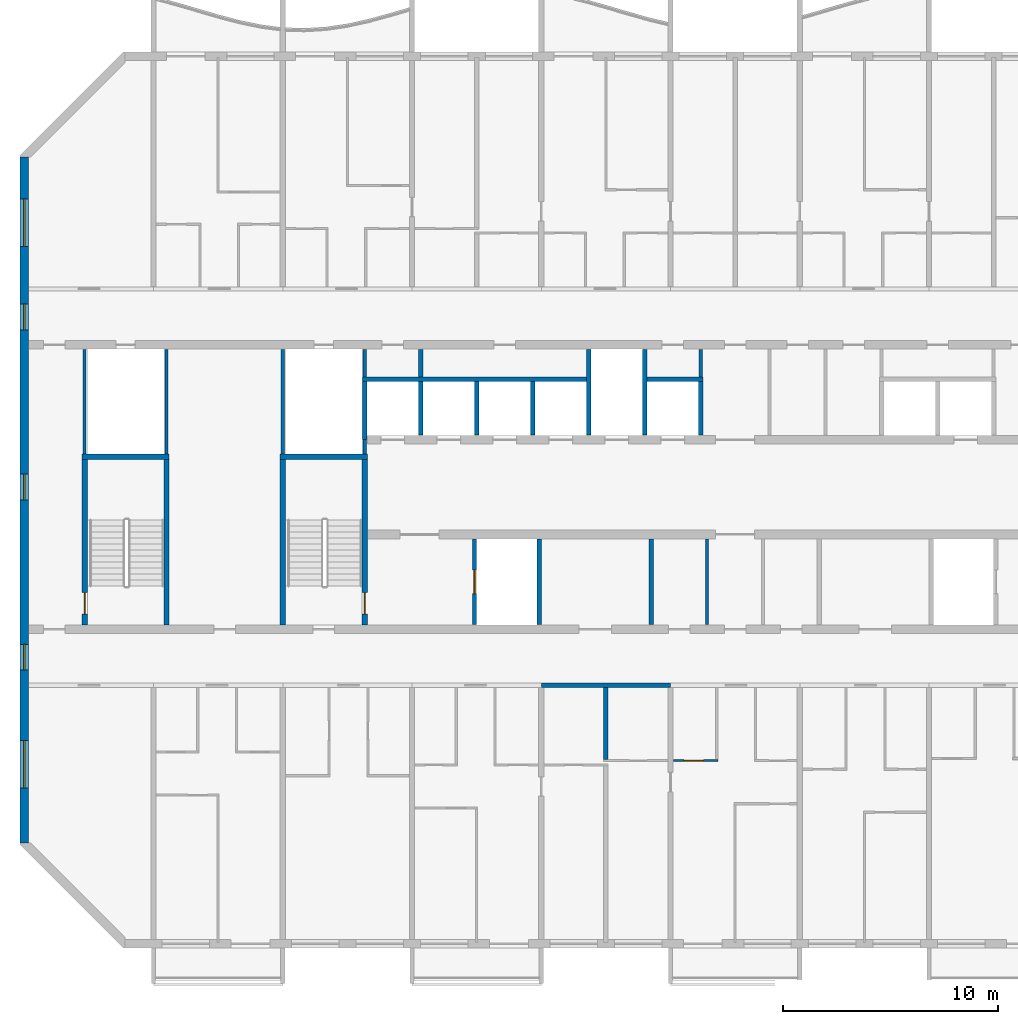
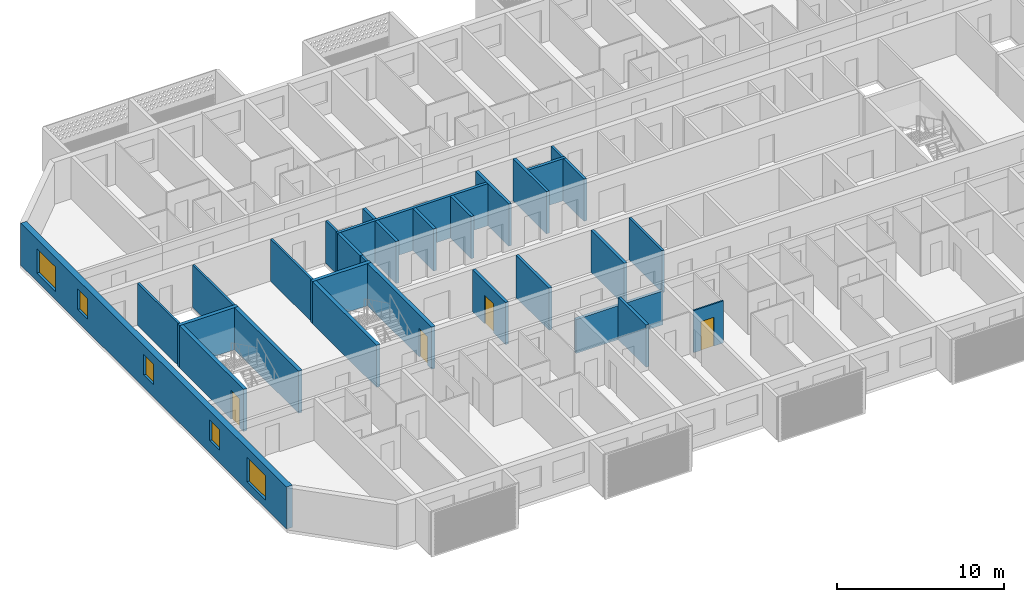
# One storey, part 3 of 27: 30 walls, 5 windows, 4 doors, 9 openings.
"""IFC4 building model written with IfcOpenShell, lengths in metres."""

from ifc_helpers import new_model, si_unit, direction, frame, frame_2d, origin, place, context, subcontext, project, spatial, rectangle, extrude, material, layer, layer_set, type_object, element, fill, save


model = new_model("IFC4")

# Units and contexts
model_context = context("Model", 3, precision=1e-05, world=origin(), true_north=direction((0.0, 1.0)))
body_context = subcontext(model_context, "Body", "Model", "MODEL_VIEW")
ifc_project = project(units=[si_unit("LENGTHUNIT", "METRE"), si_unit("AREAUNIT", "SQUARE_METRE"), si_unit("VOLUMEUNIT", "CUBIC_METRE"), si_unit("PLANEANGLEUNIT", "RADIAN"), si_unit("MASSUNIT", "GRAM", prefix="KILO")], contexts=[model_context])

# Site, building, storey
site_placement = place(None, origin())
site = spatial("IfcSite", under=ifc_project, at=site_placement, CompositionType="ELEMENT")
building_placement = place(site_placement, origin())
building = spatial("IfcBuilding", under=site, at=building_placement, Name="Poui Terraces", CompositionType="ELEMENT")
storey_placement = place(building_placement, frame((0.0, 0.0, 191.699951171875)))
storey = spatial("IfcBuildingStorey", under=building, at=storey_placement, Name="L53", CompositionType="ELEMENT", Elevation=191.699951171875)

# Walls
ifc_material_1 = material(Name="Fire-rated plasterboard wall")
ifc_layer_1 = layer(ifc_material_1, 0.14990234375)
ifc_layer_set_1 = layer_set([ifc_layer_1], Name="Fire-rated plasterboard wall")
wall_type_1 = type_object("IfcWallType", Name="CORRIDOR WALL 150", PredefinedType="PARTITIONING", material=ifc_layer_set_1)
wall_1_placement = place(storey_placement, frame((49.39990234375, 26.300048828125, 0.0), z_axis=(0.0, 0.0, 1.0), x_axis=(0.0, 1.0, 0.0)))
element("IfcWall", 1, at=wall_1_placement, inside=storey, type_object=wall_type_1, Name="CORRIDOR WALL 150", PredefinedType="PARTITIONING", context=body_context, shape_type="SweptSolid", body=[
    extrude(rectangle(XDim=1.2900390625, YDim=0.14990234375, at=frame_2d((0.64501953125, 0.0))), origin(), (0.0, 0.0, 1.0), 3.080078125),
])
wall_2_placement = place(storey_placement, frame((49.699951171875, 14.81005859375, 0.0), z_axis=(0.0, 0.0, 1.0), x_axis=(0.0, 1.0, 0.0)))
element("IfcWall", 2, at=wall_2_placement, inside=storey, type_object=wall_type_1, Name="CORRIDOR WALL 150", PredefinedType="PARTITIONING", context=body_context, shape_type="SweptSolid", body=[
    extrude(rectangle(XDim=3.97998046875, YDim=0.14990234375, at=frame_2d((1.989990234375, 0.0))), origin(), (0.0, 0.0, 1.0), 3.080078125),
])
ifc_material_2 = material(Name="Concrete 50 MPa", Category="concrete")
ifc_layer_2 = layer(ifc_material_2, 0.199951171875)
ifc_layer_set_2 = layer_set([ifc_layer_2], Name="Concrete 50 MPa")
wall_type_2 = type_object("IfcWallType", Name="CORRIDOR WALL 200 50MPa", PredefinedType="SHEAR", material=ifc_layer_set_2)
wall_3_placement = place(storey_placement, frame((42.0, 12.0, 0.0), z_axis=(0.0, 0.0, 1.0), x_axis=(1.0, 0.0, 0.0)))
element("IfcWall", 3, at=wall_3_placement, inside=storey, type_object=wall_type_2, Name="CORRIDOR WALL LINE B BAY 5", PredefinedType="SHEAR", context=body_context, shape_type="SweptSolid", body=[
    extrude(rectangle(XDim=6.0, YDim=0.199951171875, at=frame_2d((3.0, 0.0))), origin(), (0.0, 0.0, 1.0), 2.47998046875),
])

# Wall, openings, windows
ifc_layer_3 = layer(ifc_material_2, 0.39990234375)
ifc_layer_set_3 = layer_set([ifc_layer_3], Name="Concrete 50 MPa")
wall_type_3 = type_object("IfcWallType", Name="END WALL 400 50MPa", PredefinedType="SHEAR", material=ifc_layer_set_3)
wall_4_placement = place(storey_placement, frame((18.0, 4.682861328125, 0.0), z_axis=(0.0, 0.0, 1.0), x_axis=(0.0, 1.0, 0.0)))
wall_4 = element("IfcWall", 4, at=wall_4_placement, inside=storey, type_object=wall_type_3, Name="END WALL WEST", PredefinedType="SHEAR", context=body_context, shape_type="SweptSolid", body=[
    extrude(rectangle(XDim=31.834228515625, YDim=0.39990234375, at=frame_2d((15.9169921875, 0.0))), origin(), (0.0, 0.0, 1.0), 3.080078125),
])
opening_1_placement = place(wall_4_placement, frame((23.817138671875, 0.0, 0.89990234375)))
opening_1 = element("IfcOpeningElement", 5, at=opening_1_placement, cuts=wall_4, Name="Opening W2", PredefinedType="OPENING", context=body_context, shape_type="SweptSolid", body=[
    extrude(rectangle(XDim=1.199951171875, YDim=1.5, at=frame_2d((0.60009765625, 0.75))), frame((0.0, 0.2099609375, 0.0), z_axis=(0.0, -1.0, 0.0), x_axis=(1.0, 0.0, 0.0)), (0.0, 0.0, 1.0), 0.419921875),
])
opening_2_placement = place(wall_4_placement, frame((8.01708984375, 0.0, 0.89990234375)))
opening_2 = element("IfcOpeningElement", 6, at=opening_2_placement, cuts=wall_4, Name="Opening W2", PredefinedType="OPENING", context=body_context, shape_type="SweptSolid", body=[
    extrude(rectangle(XDim=1.199951171875, YDim=1.5, at=frame_2d((0.60009765625, 0.75))), frame((0.0, 0.2099609375, 0.0), z_axis=(0.0, -1.0, 0.0), x_axis=(1.0, 0.0, 0.0)), (0.0, 0.0, 1.0), 0.419921875),
])
opening_3_placement = place(wall_4_placement, frame((27.693603515625, 0.0, 0.60009765625)))
opening_3 = element("IfcOpeningElement", 7, at=opening_3_placement, cuts=wall_4, Name="Opening W3", PredefinedType="OPENING", context=body_context, shape_type="SweptSolid", body=[
    extrude(rectangle(XDim=2.199951171875, YDim=1.800048828125, at=frame_2d((1.10009765625, 0.89990234375))), frame((0.0, 0.2099609375, 0.0), z_axis=(0.0, -1.0, 0.0), x_axis=(1.0, 0.0, 0.0)), (0.0, 0.0, 1.0), 0.419921875),
])
opening_4_placement = place(wall_4_placement, frame((2.541015625, 0.0, 0.60009765625)))
opening_4 = element("IfcOpeningElement", 8, at=opening_4_placement, cuts=wall_4, Name="Opening W3", PredefinedType="OPENING", context=body_context, shape_type="SweptSolid", body=[
    extrude(rectangle(XDim=2.199951171875, YDim=1.800048828125, at=frame_2d((1.10009765625, 0.89990234375))), frame((0.0, 0.2099609375, 0.0), z_axis=(0.0, -1.0, 0.0), x_axis=(1.0, 0.0, 0.0)), (0.0, 0.0, 1.0), 0.419921875),
])
opening_5_placement = place(wall_4_placement, frame((15.917236328125, 0.0, 0.89990234375)))
opening_5 = element("IfcOpeningElement", 9, at=opening_5_placement, cuts=wall_4, Name="Opening W2", PredefinedType="OPENING", context=body_context, shape_type="SweptSolid", body=[
    extrude(rectangle(XDim=1.199951171875, YDim=1.5, at=frame_2d((0.60009765625, 0.75))), frame((0.0, 0.2099609375, 0.0), z_axis=(0.0, -1.0, 0.0), x_axis=(1.0, 0.0, 0.0)), (0.0, 0.0, 1.0), 0.419921875),
])
ifc_material_3 = material(Name="Clear glass in aluminium frame", Category="aluminium")
window_type_1 = type_object("IfcWindowType", Name="WINDOW 1200X1500", PartitioningType="SINGLE_PANEL", PredefinedType="WINDOW", material=ifc_material_3)
window_1_placement = place(opening_1_placement, origin())
window_1 = element("IfcWindow", 10, at=window_1_placement, inside=storey, type_object=window_type_1, Name="W2 WINDOW", OverallHeight=1.5, OverallWidth=1.199951171875, PartitioningType="SINGLE_PANEL", PredefinedType="WINDOW", context=body_context, shape_type="SweptSolid", body=[
    extrude(rectangle(XDim=1.199951171875, YDim=1.5, at=frame_2d((0.60009765625, 0.75))), frame((0.0, 0.030029296875, 0.0), z_axis=(0.0, -1.0, 0.0), x_axis=(1.0, 0.0, 0.0)), (0.0, 0.0, 1.0), 0.06005859375),
])
fill(opening_1, window_1)
window_2_placement = place(opening_2_placement, origin())
window_2 = element("IfcWindow", 11, at=window_2_placement, inside=storey, type_object=window_type_1, Name="W2 WINDOW", OverallHeight=1.5, OverallWidth=1.199951171875, PartitioningType="SINGLE_PANEL", PredefinedType="WINDOW", context=body_context, shape_type="SweptSolid", body=[
    extrude(rectangle(XDim=1.199951171875, YDim=1.5, at=frame_2d((0.60009765625, 0.75))), frame((0.0, 0.030029296875, 0.0), z_axis=(0.0, -1.0, 0.0), x_axis=(1.0, 0.0, 0.0)), (0.0, 0.0, 1.0), 0.06005859375),
])
fill(opening_2, window_2)
window_3_placement = place(opening_5_placement, origin())
window_3 = element("IfcWindow", 12, at=window_3_placement, inside=storey, type_object=window_type_1, Name="W2 WINDOW", OverallHeight=1.5, OverallWidth=1.199951171875, PartitioningType="SINGLE_PANEL", PredefinedType="WINDOW", context=body_context, shape_type="SweptSolid", body=[
    extrude(rectangle(XDim=1.199951171875, YDim=1.5, at=frame_2d((0.60009765625, 0.75))), frame((0.0, 0.030029296875, 0.0), z_axis=(0.0, -1.0, 0.0), x_axis=(1.0, 0.0, 0.0)), (0.0, 0.0, 1.0), 0.06005859375),
])
fill(opening_5, window_3)
window_type_2 = type_object("IfcWindowType", Name="WINDOW 2200X1800", PartitioningType="DOUBLE_PANEL_HORIZONTAL", PredefinedType="WINDOW", material=ifc_material_3)
window_4_placement = place(opening_3_placement, origin())
window_4 = element("IfcWindow", 13, at=window_4_placement, inside=storey, type_object=window_type_2, Name="W3 WINDOW", OverallHeight=1.800048828125, OverallWidth=2.199951171875, PartitioningType="DOUBLE_PANEL_HORIZONTAL", PredefinedType="WINDOW", context=body_context, shape_type="SweptSolid", body=[
    extrude(rectangle(XDim=2.199951171875, YDim=1.800048828125, at=frame_2d((1.10009765625, 0.89990234375))), frame((0.0, 0.030029296875, 0.0), z_axis=(0.0, -1.0, 0.0), x_axis=(1.0, 0.0, 0.0)), (0.0, 0.0, 1.0), 0.06005859375),
])
fill(opening_3, window_4)
window_5_placement = place(opening_4_placement, origin())
window_5 = element("IfcWindow", 14, at=window_5_placement, inside=storey, type_object=window_type_2, Name="W3 WINDOW", OverallHeight=1.800048828125, OverallWidth=2.199951171875, PartitioningType="DOUBLE_PANEL_HORIZONTAL", PredefinedType="WINDOW", context=body_context, shape_type="SweptSolid", body=[
    extrude(rectangle(XDim=2.199951171875, YDim=1.800048828125, at=frame_2d((1.10009765625, 0.89990234375))), frame((0.0, 0.030029296875, 0.0), z_axis=(0.0, -1.0, 0.0), x_axis=(1.0, 0.0, 0.0)), (0.0, 0.0, 1.0), 0.06005859375),
])
fill(opening_4, window_5)

# Wall, opening, door
ifc_material_4 = material(Name="Plasterboard partition")
ifc_layer_4 = layer(ifc_material_4, 0.10009765625)
ifc_layer_set_4 = layer_set([ifc_layer_4], Name="Plasterboard partition")
wall_type_4 = type_object("IfcWallType", Name="FLAT PARTITION 100", PredefinedType="PARTITIONING", material=ifc_layer_set_4)
wall_5_placement = place(storey_placement, frame((48.135009765625, 8.5, 0.0), z_axis=(0.0, 0.0, 1.0), x_axis=(1.0, 0.0, 0.0)))
wall_5 = element("IfcWall", 15, at=wall_5_placement, inside=storey, type_object=wall_type_4, Name="FLAT PARTITION 100", PredefinedType="PARTITIONING", context=body_context, shape_type="SweptSolid", body=[
    extrude(rectangle(XDim=2.06494140625, YDim=0.10009765625, at=frame_2d((1.032470703125, 0.0))), origin(), (0.0, 0.0, 1.0), 3.080078125),
])
opening_6_placement = place(wall_5_placement, frame((0.489990234375, 0.0, 0.0)))
opening_6 = element("IfcOpeningElement", 16, at=opening_6_placement, cuts=wall_5, Name="Opening D90", PredefinedType="OPENING", context=body_context, shape_type="SweptSolid", body=[
    extrude(rectangle(XDim=0.89990234375, YDim=2.10009765625, at=frame_2d((0.449951171875, 1.050048828125))), frame((0.0, 0.06005859375, 0.0), z_axis=(0.0, -1.0, 0.0), x_axis=(1.0, 0.0, 0.0)), (0.0, 0.0, 1.0), 0.1201171875),
])
ifc_material_5 = material(Name="Solid core timber door", Category="wood")
door_type_1 = type_object("IfcDoorType", Name="INTERNAL DOOR 900 X 2100", OperationType="NOTDEFINED", PredefinedType="DOOR", material=ifc_material_5)
door_1_placement = place(opening_6_placement, origin())
door_1 = element("IfcDoor", 17, at=door_1_placement, inside=storey, type_object=door_type_1, Name="INTERNAL DOOR 079", OperationType="SINGLE_SWING_LEFT", OverallHeight=2.10009765625, OverallWidth=0.89990234375, PredefinedType="DOOR", context=body_context, shape_type="SweptSolid", body=[
    extrude(rectangle(XDim=0.89990234375, YDim=2.10009765625, at=frame_2d((0.449951171875, 1.050048828125))), frame((0.0, 0.02490234375, 0.0), z_axis=(0.0, -1.0, 0.0), x_axis=(1.0, 0.0, 0.0)), (0.0, 0.0, 1.0), 0.050048828125),
])
fill(opening_6, door_1)

# Walls
ifc_material_6 = material(Name="Fire-rated masonry wall", Category="masonry")
ifc_layer_5 = layer(ifc_material_6, 0.199951171875)
ifc_layer_set_5 = layer_set([ifc_layer_5], Name="Fire-rated masonry wall")
wall_type_5 = type_object("IfcWallType", Name="FLAT PARTY WALL 200", PredefinedType="PARTITIONING", material=ifc_layer_set_5)
wall_6_placement = place(storey_placement, frame((45.0, 8.550048828125, 0.0), z_axis=(0.0, 0.0, 1.0), x_axis=(0.0, 1.0, 0.0)))
element("IfcWall", 18, at=wall_6_placement, inside=storey, type_object=wall_type_5, Name="FLAT PARTY WALL 200", PredefinedType="PARTITIONING", context=body_context, shape_type="SweptSolid", body=[
    extrude(rectangle(XDim=3.33984375, YDim=0.199951171875, at=frame_2d((1.669921875, 0.0))), origin(), (0.0, 0.0, 1.0), 3.080078125),
])
ifc_layer_6 = layer(ifc_material_6, 0.199951171875)
ifc_layer_set_6 = layer_set([ifc_layer_6], Name="Fire-rated masonry wall")
wall_type_6 = type_object("IfcWallType", Name="PLANT ROOM WALL 200", PredefinedType="PARTITIONING", material=ifc_layer_set_6)
wall_7_placement = place(storey_placement, frame((36.39990234375, 26.300048828125, 0.0), z_axis=(0.0, 0.0, 1.0), x_axis=(0.0, 1.0, 0.0)))
element("IfcWall", 19, at=wall_7_placement, inside=storey, type_object=wall_type_6, Name="PLANT ROOM WALL 200", PredefinedType="PARTITIONING", context=body_context, shape_type="SweptSolid", body=[
    extrude(rectangle(XDim=1.2900390625, YDim=0.199951171875, at=frame_2d((0.64501953125, 0.0))), origin(), (0.0, 0.0, 1.0), 3.080078125),
])
wall_8_placement = place(storey_placement, frame((47.10009765625, 14.81005859375, 0.0), z_axis=(0.0, 0.0, 1.0), x_axis=(0.0, 1.0, 0.0)))
element("IfcWall", 20, at=wall_8_placement, inside=storey, type_object=wall_type_6, Name="PLANT ROOM WALL 200", PredefinedType="PARTITIONING", context=body_context, shape_type="SweptSolid", body=[
    extrude(rectangle(XDim=3.97998046875, YDim=0.199951171875, at=frame_2d((1.989990234375, 0.0))), origin(), (0.0, 0.0, 1.0), 3.080078125),
])
ifc_material_7 = material(Name="Fire-rated plasterboard riser wall")
ifc_layer_7 = layer(ifc_material_7, 0.14990234375)
ifc_layer_set_7 = layer_set([ifc_layer_7], Name="Fire-rated plasterboard riser wall")
wall_type_7 = type_object("IfcWallType", Name="RISER WALL 150", PredefinedType="PARTITIONING", material=ifc_layer_set_7)
for number, where, z_axis, x_axis, name in (
    (21, (20.800048828125, 22.735107421875, 0.0), (0.0, 0.0, 1.0), (0.0, 1.0, 0.0), "RISER WALL 150"),
    (22, (24.60009765625, 22.735107421875, 0.0), (0.0, 0.0, 1.0), (0.0, 1.0, 0.0), "RISER WALL 150"),
    (23, (30.0, 22.735107421875, 0.0), (0.0, 0.0, 1.0), (0.0, 1.0, 0.0), "RISER WALL 150"),
):
    element("IfcWall", number, at=place(storey_placement, frame(where, z_axis=z_axis, x_axis=x_axis)), inside=storey, type_object=wall_type_7, Name=name, PredefinedType="PARTITIONING", context=body_context, shape_type="SweptSolid", body=[
        extrude(rectangle(XDim=4.85498046875, YDim=0.14990234375, at=frame_2d((2.427490234375, 0.0))), origin(), (0.0, 0.0, 1.0), 3.080078125),
    ])
wall_9_placement = place(storey_placement, frame((33.800048828125, 22.735107421875, 0.0), z_axis=(0.0, 0.0, 1.0), x_axis=(0.0, 1.0, 0.0)))
element("IfcWall", 24, at=wall_9_placement, inside=storey, type_object=wall_type_7, Name="RISER WALL 150", PredefinedType="PARTITIONING", context=body_context, shape_type="SweptSolid", body=[
    extrude(rectangle(XDim=0.664794921875, YDim=0.14990234375, at=frame_2d((0.33251953125, 0.0))), origin(), (0.0, 0.0, 1.0), 3.080078125),
])
wall_10_placement = place(storey_placement, frame((33.800048828125, 26.300048828125, 0.0), z_axis=(0.0, 0.0, 1.0), x_axis=(0.0, 1.0, 0.0)))
element("IfcWall", 25, at=wall_10_placement, inside=storey, type_object=wall_type_7, Name="RISER WALL 150", PredefinedType="PARTITIONING", context=body_context, shape_type="SweptSolid", body=[
    extrude(rectangle(XDim=1.2900390625, YDim=0.14990234375, at=frame_2d((0.64501953125, 0.0))), origin(), (0.0, 0.0, 1.0), 3.080078125),
])
ifc_material_8 = material(Name="Fire-rated masonry shaft wall", Category="masonry")
ifc_layer_8 = layer(ifc_material_8, 0.199951171875)
ifc_layer_set_8 = layer_set([ifc_layer_8], Name="Fire-rated masonry shaft wall")
wall_type_8 = type_object("IfcWallType", Name="SHAFT WALL 200", PredefinedType="PARTITIONING", material=ifc_layer_set_8)
wall_11_placement = place(storey_placement, frame((33.699951171875, 26.199951171875, 0.0), z_axis=(0.0, 0.0, 1.0), x_axis=(1.0, 0.0, 0.0)))
element("IfcWall", 26, at=wall_11_placement, inside=storey, type_object=wall_type_8, Name="SHAFT WALL 200", PredefinedType="PARTITIONING", context=body_context, shape_type="SweptSolid", body=[
    extrude(rectangle(XDim=10.400146484375, YDim=0.199951171875, at=frame_2d((5.2001953125, 0.0))), origin(), (0.0, 0.0, 1.0), 3.080078125),
])
wall_12_placement = place(storey_placement, frame((46.89990234375, 26.199951171875, 0.0), z_axis=(0.0, 0.0, 1.0), x_axis=(1.0, 0.0, 0.0)))
element("IfcWall", 27, at=wall_12_placement, inside=storey, type_object=wall_type_8, Name="SHAFT WALL 200", PredefinedType="PARTITIONING", context=body_context, shape_type="SweptSolid", body=[
    extrude(rectangle(XDim=2.60009765625, YDim=0.199951171875, at=frame_2d((1.300048828125, 0.0))), origin(), (0.0, 0.0, 1.0), 3.080078125),
])
wall_13_placement = place(storey_placement, frame((33.800048828125, 23.39990234375, 0.0), z_axis=(0.0, 0.0, 1.0), x_axis=(0.0, 1.0, 0.0)))
element("IfcWall", 28, at=wall_13_placement, inside=storey, type_object=wall_type_8, Name="SHAFT WALL 200", PredefinedType="PARTITIONING", context=body_context, shape_type="SweptSolid", body=[
    extrude(rectangle(XDim=2.7001953125, YDim=0.199951171875, at=frame_2d((1.35009765625, 0.0))), origin(), (0.0, 0.0, 1.0), 3.080078125),
])
wall_14_placement = place(storey_placement, frame((36.39990234375, 23.610107421875, 0.0), z_axis=(0.0, 0.0, 1.0), x_axis=(0.0, 1.0, 0.0)))
element("IfcWall", 29, at=wall_14_placement, inside=storey, type_object=wall_type_8, Name="SHAFT WALL 200", PredefinedType="PARTITIONING", context=body_context, shape_type="SweptSolid", body=[
    extrude(rectangle(XDim=2.489990234375, YDim=0.199951171875, at=frame_2d((1.2451171875, 0.0))), origin(), (0.0, 0.0, 1.0), 3.080078125),
])

# Wall, opening, door
wall_15_placement = place(storey_placement, frame((38.89990234375, 14.81005859375, 0.0), z_axis=(0.0, 0.0, 1.0), x_axis=(0.0, 1.0, 0.0)))
wall_15 = element("IfcWall", 30, at=wall_15_placement, inside=storey, type_object=wall_type_8, Name="SHAFT WALL 200", PredefinedType="PARTITIONING", context=body_context, shape_type="SweptSolid", body=[
    extrude(rectangle(XDim=3.97998046875, YDim=0.199951171875, at=frame_2d((1.989990234375, 0.0))), origin(), (0.0, 0.0, 1.0), 3.080078125),
])
opening_7_placement = place(wall_15_placement, frame((1.43994140625, 0.0, 0.0)))
opening_7 = element("IfcOpeningElement", 31, at=opening_7_placement, cuts=wall_15, Name="Opening LD", PredefinedType="OPENING", context=body_context, shape_type="SweptSolid", body=[
    extrude(rectangle(XDim=1.10009765625, YDim=2.10009765625, at=frame_2d((0.550048828125, 1.050048828125))), frame((0.0, 0.10986328125, 0.0), z_axis=(0.0, -1.0, 0.0), x_axis=(1.0, 0.0, 0.0)), (0.0, 0.0, 1.0), 0.219970703125),
])
ifc_material_9 = material(Name="Stainless steel sliding door", Category="steel")
door_type_2 = type_object("IfcDoorType", Name="LIFT LANDING DOOR 1100 X 2100", OperationType="DOUBLE_DOOR_SLIDING", PredefinedType="DOOR", material=ifc_material_9)
door_2_placement = place(opening_7_placement, origin())
door_2 = element("IfcDoor", 32, at=door_2_placement, inside=storey, type_object=door_type_2, Name="LANDING DOOR", OperationType="DOUBLE_DOOR_SLIDING", OverallHeight=2.10009765625, OverallWidth=1.10009765625, PredefinedType="DOOR", context=body_context, shape_type="SweptSolid", body=[
    extrude(rectangle(XDim=1.10009765625, YDim=2.10009765625, at=frame_2d((0.550048828125, 1.050048828125))), frame((0.0, 0.02490234375, 0.0), z_axis=(0.0, -1.0, 0.0), x_axis=(1.0, 0.0, 0.0)), (0.0, 0.0, 1.0), 0.050048828125),
])
fill(opening_7, door_2)

# Walls
for number, where, z_axis, x_axis, name in (
    (33, (39.0, 23.610107421875, 0.0), (0.0, 0.0, 1.0), (0.0, 1.0, 0.0), "SHAFT WALL 200"),
    (34, (41.60009765625, 23.610107421875, 0.0), (0.0, 0.0, 1.0), (0.0, 1.0, 0.0), "SHAFT WALL 200"),
):
    element("IfcWall", number, at=place(storey_placement, frame(where, z_axis=z_axis, x_axis=x_axis)), inside=storey, type_object=wall_type_8, Name=name, PredefinedType="PARTITIONING", context=body_context, shape_type="SweptSolid", body=[
        extrude(rectangle(XDim=2.489990234375, YDim=0.199951171875, at=frame_2d((1.2451171875, 0.0))), origin(), (0.0, 0.0, 1.0), 3.080078125),
    ])
for number, where, z_axis, x_axis, name in (
    (35, (41.89990234375, 14.81005859375, 0.0), (0.0, 0.0, 1.0), (0.0, 1.0, 0.0), "SHAFT WALL 200"),
    (36, (44.199951171875, 23.610107421875, 0.0), (0.0, 0.0, 1.0), (0.0, 1.0, 0.0), "SHAFT WALL 200"),
    (37, (46.800048828125, 23.610107421875, 0.0), (0.0, 0.0, 1.0), (0.0, 1.0, 0.0), "SHAFT WALL 200"),
):
    element("IfcWall", number, at=place(storey_placement, frame(where, z_axis=z_axis, x_axis=x_axis)), inside=storey, type_object=wall_type_8, Name=name, PredefinedType="PARTITIONING", context=body_context, shape_type="SweptSolid", body=[
        extrude(rectangle(XDim=3.97998046875, YDim=0.199951171875, at=frame_2d((1.989990234375, 0.0))), origin(), (0.0, 0.0, 1.0), 3.080078125),
    ])
wall_16_placement = place(storey_placement, frame((49.39990234375, 23.610107421875, 0.0), z_axis=(0.0, 0.0, 1.0), x_axis=(0.0, 1.0, 0.0)))
element("IfcWall", 38, at=wall_16_placement, inside=storey, type_object=wall_type_8, Name="SHAFT WALL 200", PredefinedType="PARTITIONING", context=body_context, shape_type="SweptSolid", body=[
    extrude(rectangle(XDim=2.489990234375, YDim=0.199951171875, at=frame_2d((1.2451171875, 0.0))), origin(), (0.0, 0.0, 1.0), 3.080078125),
])
ifc_layer_9 = layer(ifc_material_2, 0.25)
ifc_layer_set_9 = layer_set([ifc_layer_9], Name="Concrete 50 MPa")
wall_type_9 = type_object("IfcWallType", Name="STAIR CORE WALL 250 50 MPA", PredefinedType="SOLIDWALL", material=ifc_layer_set_9)
wall_17_placement = place(storey_placement, frame((30.0, 14.800048828125, 0.0), z_axis=(0.0, 0.0, 1.0), x_axis=(0.0, 1.0, 0.0)))
element("IfcWall", 39, at=wall_17_placement, inside=storey, type_object=wall_type_9, Name="STAIR CORE WALL", PredefinedType="SOLIDWALL", context=body_context, shape_type="SweptSolid", body=[
    extrude(rectangle(XDim=7.675048828125, YDim=0.25, at=frame_2d((3.83740234375, 0.0))), origin(), (0.0, 0.0, 1.0), 3.080078125),
])

# Wall, opening, door
wall_18_placement = place(storey_placement, frame((33.800048828125, 14.800048828125, 0.0), z_axis=(0.0, 0.0, 1.0), x_axis=(0.0, 1.0, 0.0)))
wall_18 = element("IfcWall", 40, at=wall_18_placement, inside=storey, type_object=wall_type_9, Name="STAIR CORE WALL", PredefinedType="SOLIDWALL", context=body_context, shape_type="SweptSolid", body=[
    extrude(rectangle(XDim=7.675048828125, YDim=0.25, at=frame_2d((3.83740234375, 0.0))), origin(), (0.0, 0.0, 1.0), 3.080078125),
])
opening_8_placement = place(wall_18_placement, frame((0.5, 0.0, 0.0)))
opening_8 = element("IfcOpeningElement", 41, at=opening_8_placement, cuts=wall_18, Name="Opening FD60S", PredefinedType="OPENING", context=body_context, shape_type="SweptSolid", body=[
    extrude(rectangle(XDim=1.0, YDim=2.10009765625, at=frame_2d((0.5, 1.050048828125))), frame((0.0, 0.135009765625, 0.0), z_axis=(0.0, -1.0, 0.0), x_axis=(1.0, 0.0, 0.0)), (0.0, 0.0, 1.0), 0.27001953125),
])
ifc_material_10 = material(Name="Steel fire door", Category="steel")
door_type_3 = type_object("IfcDoorType", Name="STAIR DOOR 1000 X 2100", OperationType="NOTDEFINED", PredefinedType="DOOR", material=ifc_material_10)
door_3_placement = place(opening_8_placement, origin())
door_3 = element("IfcDoor", 42, at=door_3_placement, inside=storey, type_object=door_type_3, Name="STAIR DOOR 101", OperationType="SINGLE_SWING_LEFT", OverallHeight=2.10009765625, OverallWidth=1.0, PredefinedType="DOOR", context=body_context, shape_type="SweptSolid", body=[
    extrude(rectangle(XDim=1.0, YDim=2.10009765625, at=frame_2d((0.5, 1.050048828125))), frame((0.0, 0.02490234375, 0.0), z_axis=(0.0, -1.0, 0.0), x_axis=(1.0, 0.0, 0.0)), (0.0, 0.0, 1.0), 0.050048828125),
])
fill(opening_8, door_3)

# Wall
wall_19_placement = place(storey_placement, frame((29.875, 22.60009765625, 0.0), z_axis=(0.0, 0.0, 1.0), x_axis=(1.0, 0.0, 0.0)))
element("IfcWall", 43, at=wall_19_placement, inside=storey, type_object=wall_type_9, Name="STAIR CORE WALL", PredefinedType="SOLIDWALL", context=body_context, shape_type="SweptSolid", body=[
    extrude(rectangle(XDim=4.050048828125, YDim=0.25, at=frame_2d((2.02490234375, 0.0))), origin(), (0.0, 0.0, 1.0), 3.080078125),
])

# Wall, opening, door
wall_20_placement = place(storey_placement, frame((20.800048828125, 14.800048828125, 0.0), z_axis=(0.0, 0.0, 1.0), x_axis=(0.0, 1.0, 0.0)))
wall_20 = element("IfcWall", 44, at=wall_20_placement, inside=storey, type_object=wall_type_9, Name="STAIR CORE WALL", PredefinedType="SOLIDWALL", context=body_context, shape_type="SweptSolid", body=[
    extrude(rectangle(XDim=7.675048828125, YDim=0.25, at=frame_2d((3.83740234375, 0.0))), origin(), (0.0, 0.0, 1.0), 3.080078125),
])
opening_9_placement = place(wall_20_placement, frame((0.5, 0.0, 0.0)))
opening_9 = element("IfcOpeningElement", 45, at=opening_9_placement, cuts=wall_20, Name="Opening FD60S", PredefinedType="OPENING", context=body_context, shape_type="SweptSolid", body=[
    extrude(rectangle(XDim=1.0, YDim=2.10009765625, at=frame_2d((0.5, 1.050048828125))), frame((0.0, 0.135009765625, 0.0), z_axis=(0.0, -1.0, 0.0), x_axis=(1.0, 0.0, 0.0)), (0.0, 0.0, 1.0), 0.27001953125),
])
door_4_placement = place(opening_9_placement, frame((1.0, 0.0, 0.0), z_axis=(0.0, 0.0, 1.0), x_axis=(-1.0, 0.0, 0.0)))
door_4 = element("IfcDoor", 46, at=door_4_placement, inside=storey, type_object=door_type_3, Name="STAIR DOOR 115", OperationType="SINGLE_SWING_RIGHT", OverallHeight=2.10009765625, OverallWidth=1.0, PredefinedType="DOOR", context=body_context, shape_type="SweptSolid", body=[
    extrude(rectangle(XDim=1.0, YDim=2.10009765625, at=frame_2d((0.5, 1.050048828125))), frame((0.0, 0.02490234375, 0.0), z_axis=(0.0, -1.0, 0.0), x_axis=(1.0, 0.0, 0.0)), (0.0, 0.0, 1.0), 0.050048828125),
])
fill(opening_9, door_4)

# Walls
wall_21_placement = place(storey_placement, frame((24.60009765625, 14.800048828125, 0.0), z_axis=(0.0, 0.0, 1.0), x_axis=(0.0, 1.0, 0.0)))
element("IfcWall", 47, at=wall_21_placement, inside=storey, type_object=wall_type_9, Name="STAIR CORE WALL", PredefinedType="SOLIDWALL", context=body_context, shape_type="SweptSolid", body=[
    extrude(rectangle(XDim=7.675048828125, YDim=0.25, at=frame_2d((3.83740234375, 0.0))), origin(), (0.0, 0.0, 1.0), 3.080078125),
])
wall_22_placement = place(storey_placement, frame((20.675048828125, 22.60009765625, 0.0), z_axis=(0.0, 0.0, 1.0), x_axis=(1.0, 0.0, 0.0)))
element("IfcWall", 48, at=wall_22_placement, inside=storey, type_object=wall_type_9, Name="STAIR CORE WALL", PredefinedType="SOLIDWALL", context=body_context, shape_type="SweptSolid", body=[
    extrude(rectangle(XDim=4.050048828125, YDim=0.25, at=frame_2d((2.02490234375, 0.0))), origin(), (0.0, 0.0, 1.0), 3.080078125),
])

save(model, "model.ifc")
